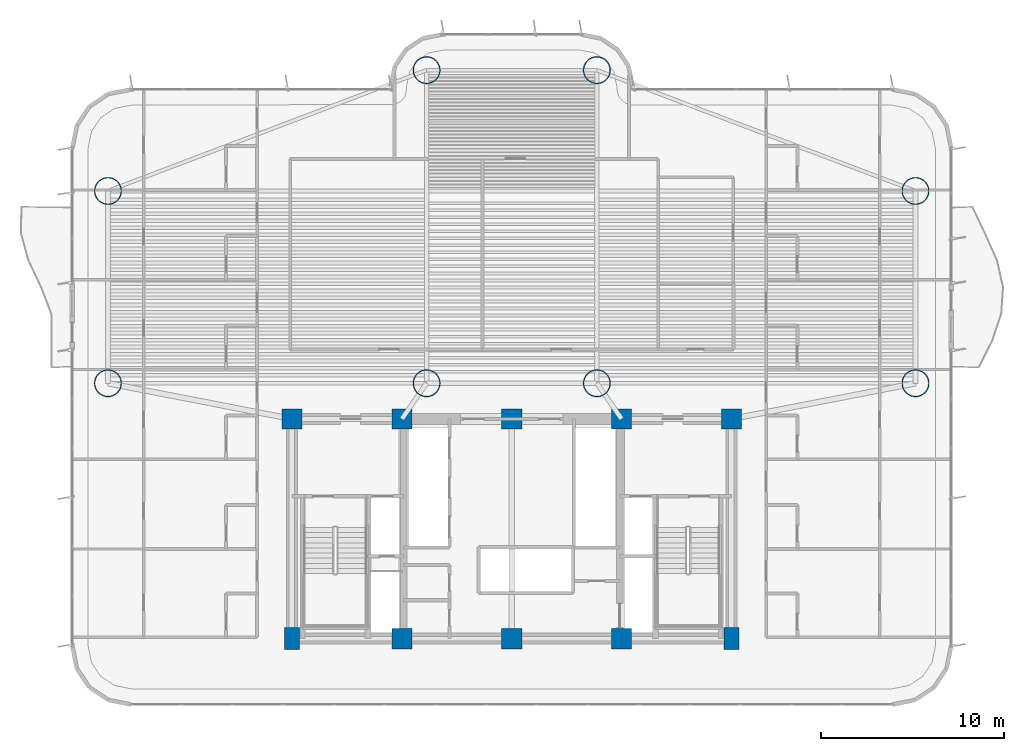
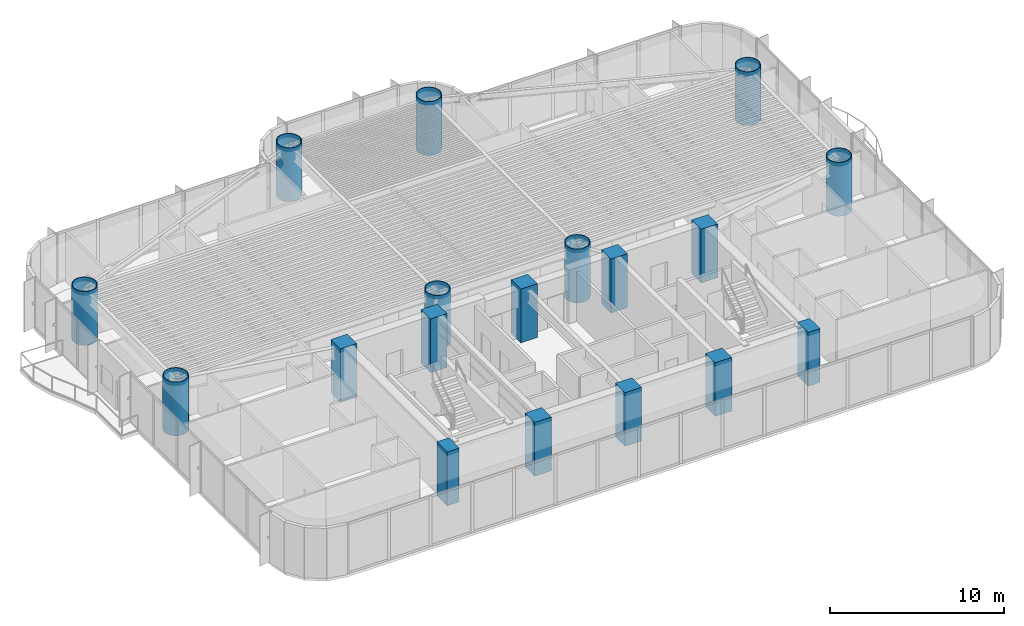
# One storey, part 1 of 19: 18 columns.
"""IFC4 building model written with IfcOpenShell, lengths in metres."""

from ifc_helpers import new_model, si_unit, direction, frame, origin, origin_2d, place, context, subcontext, project, spatial, rectangle, hollow_circle, extrude, source, transform, mapped, material, material_profile, profile_set, type_object, element, save


model = new_model("IFC4")

# Units and contexts
model_context = context("Model", 3, precision=1e-05, world=origin(), true_north=direction((0.0, 1.0)))
body_context = subcontext(model_context, "Body", "Model", "MODEL_VIEW")
ifc_project = project(units=[si_unit("LENGTHUNIT", "METRE"), si_unit("AREAUNIT", "SQUARE_METRE"), si_unit("VOLUMEUNIT", "CUBIC_METRE"), si_unit("PLANEANGLEUNIT", "RADIAN"), si_unit("MASSUNIT", "GRAM", prefix="KILO")], contexts=[model_context])

# Site, building, storey
site_placement = place(None, origin())
site = spatial("IfcSite", under=ifc_project, at=site_placement, CompositionType="ELEMENT")
building_placement = place(site_placement, origin())
building = spatial("IfcBuilding", under=site, at=building_placement, Name="Brelvock Crest Care Tower", CompositionType="ELEMENT")
storey_placement = place(building_placement, frame((0.0, 0.0, 64.800048828125)))
storey = spatial("IfcBuildingStorey", under=building, at=storey_placement, Name="L16", CompositionType="ELEMENT", Elevation=64.800048828125)

# Columns
ifc_material_1 = material(Name="Concrete S80 (80 MPa)", Category="concrete")
ifc_material_profile_1 = material_profile(ifc_material_1, rectangle(XDim=0.800048828125, YDim=1.199951171875, at=origin_2d()), Name="RC800x1200")
ifc_profile_set_1 = profile_set([ifc_material_profile_1], Name="Concrete S80 (80 MPa)")
column_type_1 = type_object("IfcColumnType", Name="COL-RC5", PredefinedType="COLUMN", material=ifc_profile_set_1)
shared_shape_1 = source(origin(), body_context, "Body", "SweptSolid", [
    extrude(rectangle(XDim=0.800048828125, YDim=1.199951171875, at=origin_2d()), origin(), (0.0, 0.0, 1.0), 3.780029296875),
])
for number, where, z_axis, x_axis, name in (
    (1, (24.0, 6.0, 0.0), (0.0, 0.0, 1.0), (1.0, 0.0, 0.0), "L16 Core Column CC-01"),
    (2, (48.0, 6.0, 0.0), (0.0, 0.0, 1.0), (1.0, 0.0, 0.0), "L16 Core Column CC-05"),
):
    element("IfcColumn", number, at=place(storey_placement, frame(where, z_axis=z_axis, x_axis=x_axis)), inside=storey, type_object=column_type_1, Name=name, PredefinedType="COLUMN", context=body_context, shape_type="MappedRepresentation", body=[
        mapped(shared_shape_1, transform((0.0, 0.0, 0.0), x_axis=(1.0, 0.0, 0.0), y_axis=(0.0, 1.0, 0.0), z_axis=(0.0, 0.0, 1.0), scale=1.0)),
    ])
ifc_material_profile_2 = material_profile(ifc_material_1, rectangle(XDim=1.10009765625, YDim=1.10009765625, at=origin_2d()), Name="RC1100x1100")
ifc_profile_set_2 = profile_set([ifc_material_profile_2], Name="Concrete S80 (80 MPa)")
column_type_2 = type_object("IfcColumnType", Name="COL-RC1", PredefinedType="COLUMN", material=ifc_profile_set_2)
shared_shape_2 = source(origin(), body_context, "Body", "SweptSolid", [
    extrude(rectangle(XDim=1.10009765625, YDim=1.10009765625, at=origin_2d()), origin(), (0.0, 0.0, 1.0), 3.780029296875),
])
for number, where, z_axis, x_axis, name in (
    (3, (30.0, 6.0, 0.0), (0.0, 0.0, 1.0), (1.0, 0.0, 0.0), "L16 Core Column CC-02"),
    (4, (36.0, 6.0, 0.0), (0.0, 0.0, 1.0), (1.0, 0.0, 0.0), "L16 Core Column CC-03"),
    (5, (42.0, 6.0, 0.0), (0.0, 0.0, 1.0), (1.0, 0.0, 0.0), "L16 Core Column CC-04"),
    (6, (24.0, 18.0, 0.0), (0.0, 0.0, 1.0), (1.0, 0.0, 0.0), "L16 Core Column CC-06"),
    (7, (30.0, 18.0, 0.0), (0.0, 0.0, 1.0), (1.0, 0.0, 0.0), "L16 Core Column CC-07"),
    (8, (36.0, 18.0, 0.0), (0.0, 0.0, 1.0), (1.0, 0.0, 0.0), "L16 Core Column CC-08"),
    (9, (42.0, 18.0, 0.0), (0.0, 0.0, 1.0), (1.0, 0.0, 0.0), "L16 Core Column CC-09"),
    (10, (48.0, 18.0, 0.0), (0.0, 0.0, 1.0), (1.0, 0.0, 0.0), "L16 Core Column CC-10"),
):
    element("IfcColumn", number, at=place(storey_placement, frame(where, z_axis=z_axis, x_axis=x_axis)), inside=storey, type_object=column_type_2, Name=name, PredefinedType="COLUMN", context=body_context, shape_type="MappedRepresentation", body=[
        mapped(shared_shape_2, transform((0.0, 0.0, 0.0), x_axis=(1.0, 0.0, 0.0), y_axis=(0.0, 1.0, 0.0), z_axis=(0.0, 0.0, 1.0), scale=1.0)),
    ])
ifc_material_2 = material(Name="Steel Grade 350", Category="steel")
ifc_material_profile_3 = material_profile(ifc_material_2, hollow_circle(Radius=0.75, WallThickness=0.050048828125, at=origin_2d()), Name="CFT1500x50")
ifc_profile_set_3 = profile_set([ifc_material_profile_3], Name="Steel Grade 350")
column_type_3 = type_object("IfcColumnType", Name="COL-MC1", PredefinedType="COLUMN", material=ifc_profile_set_3)
shared_shape_3 = source(origin(), body_context, "Body", "SweptSolid", [
    extrude(hollow_circle(Radius=0.75, WallThickness=0.050048828125, at=origin_2d()), origin(), (0.0, 0.0, 1.0), 3.780029296875),
])
for number, where, z_axis, x_axis, name in (
    (11, (13.949951171875, 19.949951171875, 0.0), (0.0, 0.0, 1.0), (1.0, 0.0, 0.0), "L16 Tower Column M1"),
    (12, (13.949951171875, 30.449951171875, 0.0), (0.0, 0.0, 1.0), (1.0, 0.0, 0.0), "L16 Tower Column M2"),
    (13, (58.050048828125, 19.949951171875, 0.0), (0.0, 0.0, 1.0), (1.0, 0.0, 0.0), "L16 Tower Column M3"),
    (14, (58.050048828125, 30.449951171875, 0.0), (0.0, 0.0, 1.0), (1.0, 0.0, 0.0), "L16 Tower Column M4"),
    (15, (31.35009765625, 19.949951171875, 0.0), (0.0, 0.0, 1.0), (1.0, 0.0, 0.0), "L16 Tower Column M5"),
    (16, (40.64990234375, 19.949951171875, 0.0), (0.0, 0.0, 1.0), (1.0, 0.0, 0.0), "L16 Tower Column M6"),
    (17, (31.35009765625, 37.050048828125, 0.0), (0.0, 0.0, 1.0), (1.0, 0.0, 0.0), "L16 Tower Column M7"),
    (18, (40.64990234375, 37.050048828125, 0.0), (0.0, 0.0, 1.0), (1.0, 0.0, 0.0), "L16 Tower Column M8"),
):
    element("IfcColumn", number, at=place(storey_placement, frame(where, z_axis=z_axis, x_axis=x_axis)), inside=storey, type_object=column_type_3, Name=name, PredefinedType="COLUMN", context=body_context, shape_type="MappedRepresentation", body=[
        mapped(shared_shape_3, transform((0.0, 0.0, 0.0), x_axis=(1.0, 0.0, 0.0), y_axis=(0.0, 1.0, 0.0), z_axis=(0.0, 0.0, 1.0), scale=1.0)),
    ])

save(model, "model.ifc")
